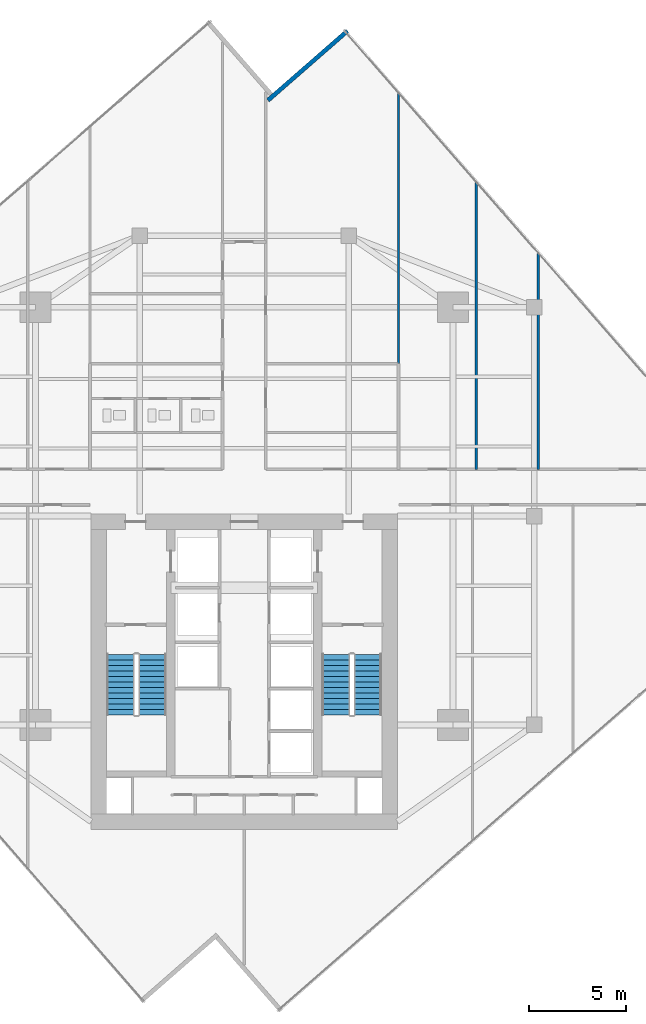
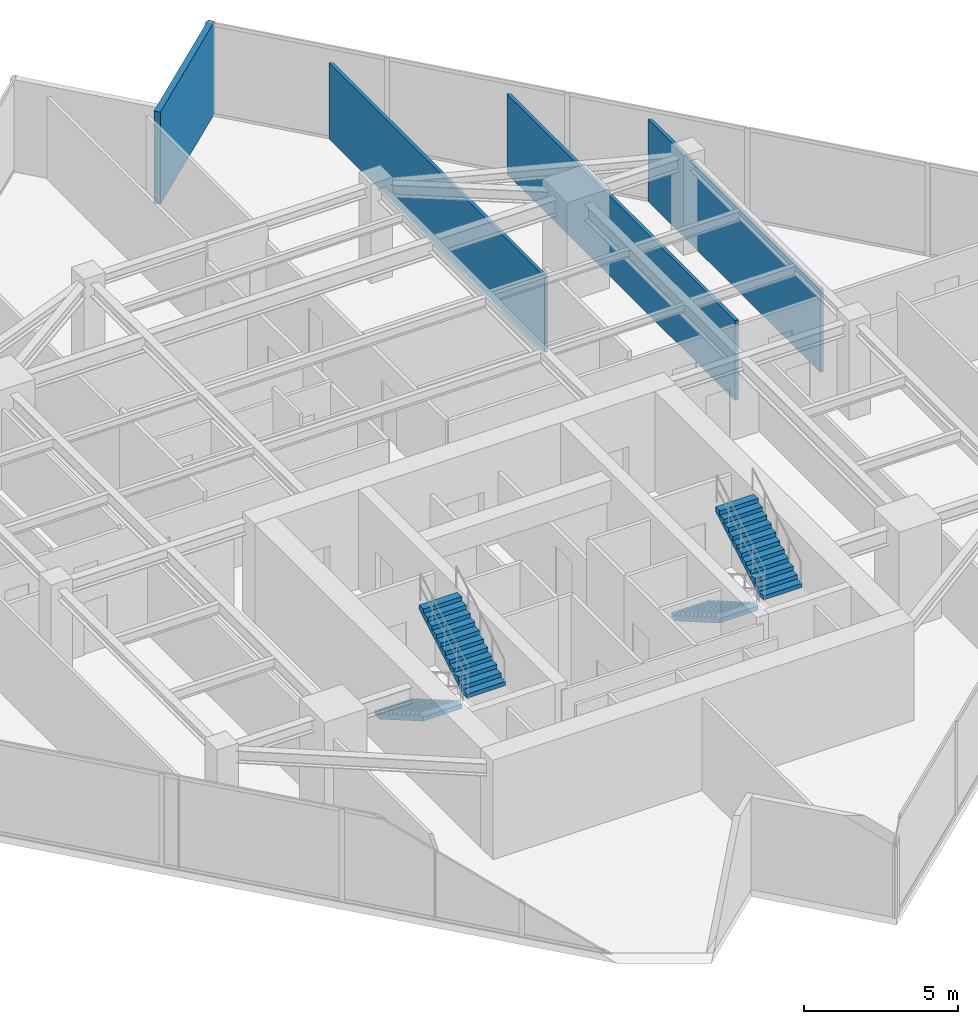
# One storey, part 22 of 24: 4 stair flights, 4 walls, 2 elements without a shape of their own.
"""IFC4 building model written with IfcOpenShell, lengths in metres."""

from ifc_helpers import new_model, si_unit, direction, frame, frame_2d, origin, place, context, subcontext, project, spatial, polyline, rectangle, outline, extrude, material, layer, layer_set, type_object, element, aggregate, save


model = new_model("IFC4")

# Units and contexts
model_context = context("Model", 3, precision=1e-05, world=origin(), true_north=direction((0.0, 1.0)))
body_context = subcontext(model_context, "Body", "Model", "MODEL_VIEW")
ifc_project = project(units=[si_unit("LENGTHUNIT", "METRE"), si_unit("AREAUNIT", "SQUARE_METRE"), si_unit("VOLUMEUNIT", "CUBIC_METRE"), si_unit("PLANEANGLEUNIT", "RADIAN"), si_unit("MASSUNIT", "GRAM", prefix="KILO")], contexts=[model_context])

# Site, building, storey
site_placement = place(None, origin())
site = spatial("IfcSite", under=ifc_project, at=site_placement, CompositionType="ELEMENT")
building_placement = place(site_placement, origin())
building = spatial("IfcBuilding", under=site, at=building_placement, Name="Krantzveldt Concourse Tower", CompositionType="ELEMENT")
storey_placement = place(building_placement, frame((0.0, 0.0, 250.75)))
storey = spatial("IfcBuildingStorey", under=building, at=storey_placement, Name="L61", CompositionType="ELEMENT", Elevation=250.75)

# Walls
ifc_material_1 = material(Name="Anodised aluminium 6063-T6", Category="aluminium")
ifc_layer_1 = layer(ifc_material_1, 0.219970703125, Name="Anodised aluminium 6063-T6", Category="aluminium")
ifc_layer_set_1 = layer_set([ifc_layer_1], Name="Anodised aluminium 6063-T6 (WL-EXT-NOTCH220)")
wall_type_1 = type_object("IfcWallType", Name="WL-EXT-NOTCH220", PredefinedType="ELEMENTEDWALL", material=ifc_layer_set_1)
wall_1_placement = place(storey_placement, frame((41.3388671875, 51.792236328125, 0.0), z_axis=(0.0, 0.0, 1.0), x_axis=(-0.753268767402, -0.657712827955, 0.0)))
element("IfcWall", 1, at=wall_1_placement, inside=storey, type_object=wall_type_1, Name="EW-L61-NCH11", PredefinedType="ELEMENTEDWALL", context=body_context, shape_type="SweptSolid", body=[
    extrude(rectangle(XDim=5.4599609375, YDim=0.219970703125, at=frame_2d((2.72998046875, 0.0))), origin(), (0.0, 0.0, 1.0), 3.669921875),
])
ifc_material_2 = material(Name="Fire-rated gypsum plasterboard on steel stud", Category="steel")
ifc_layer_2 = layer(ifc_material_2, 0.1201171875, Name="Fire-rated gypsum plasterboard on steel stud", Category="steel")
ifc_layer_set_2 = layer_set([ifc_layer_2], Name="Fire-rated gypsum plasterboard on steel stud (WL-PART-120)")
wall_type_2 = type_object("IfcWallType", Name="WL-PART-120", PredefinedType="PARTITIONING", material=ifc_layer_set_2)
wall_2_placement = place(storey_placement, frame((43.97998046875, 34.580078125, 0.0), z_axis=(0.0, 0.0, 1.0), x_axis=(0.0, 1.0, 0.0)))
element("IfcWall", 2, at=wall_2_placement, inside=storey, type_object=wall_type_2, Name="WP-L61-ISER2", PredefinedType="PARTITIONING", context=body_context, shape_type="SweptSolid", body=[
    extrude(rectangle(XDim=14.012451171875, YDim=0.1201171875, at=frame_2d((7.00634765625, 0.0))), origin(), (0.0, 0.0, 1.0), 3.030029296875),
])
wall_3_placement = place(storey_placement, frame((48.0, 29.1201171875, 0.0), z_axis=(0.0, 0.0, 1.0), x_axis=(0.0, 1.0, 0.0)))
element("IfcWall", 3, at=wall_3_placement, inside=storey, type_object=wall_type_2, Name="WP-L61-NEX1", PredefinedType="PARTITIONING", context=body_context, shape_type="SweptSolid", body=[
    extrude(rectangle(XDim=14.868408203125, YDim=0.1201171875, at=frame_2d((7.43408203125, 0.0))), origin(), (0.0, 0.0, 1.0), 3.179931640625),
])
wall_4_placement = place(storey_placement, frame((51.199951171875, 29.1201171875, 0.0), z_axis=(0.0, 0.0, 1.0), x_axis=(0.0, 1.0, 0.0)))
element("IfcWall", 4, at=wall_4_placement, inside=storey, type_object=wall_type_2, Name="WP-L61-NEX2", PredefinedType="PARTITIONING", context=body_context, shape_type="SweptSolid", body=[
    extrude(rectangle(XDim=11.203369140625, YDim=0.1201171875, at=frame_2d((5.6015625, 0.0))), origin(), (0.0, 0.0, 1.0), 3.280029296875),
])

# Stair, stair flights
ifc_material_3 = material(Name="Precast concrete C40/50", Category="concrete")
stair_type = type_object("IfcStairType", Name="STR-CORE-DOGLEG", PredefinedType="HALF_TURN_STAIR", material=ifc_material_3)
stair_1_placement = place(storey_placement, origin())
stair_1 = element("IfcStair", 5, at=stair_1_placement, inside=storey, type_object=stair_type, Name="L61 Protected Escape Stair ST-1", PredefinedType="HALF_TURN_STAIR")
stair_flight_type = type_object("IfcStairFlightType", Name="STF-CORE-1450", PredefinedType="STRAIGHT", material=ifc_material_3)
stair_flight_1_placement = place(storey_placement, frame((29.60498046875, 19.550048828125, 0.0), z_axis=(0.0, 0.0, 1.0), x_axis=(0.0, -1.0, 0.0)))
stair_flight_1 = element("IfcStairFlight", 6, at=stair_flight_1_placement, type_object=stair_flight_type, Name="ST-1 flight 1", NumberOfRisers=12, NumberOfTreads=11, PredefinedType="STRAIGHT", RiserHeight=0.164583333, TreadLength=0.285, context=body_context, shape_type="SweptSolid", body=[
    extrude(outline(polyline([(0.0, 0.0), (0.0, 0.16455078125), (0.284912109375, 0.16455078125), (0.284912109375, 0.3291015625), (0.570068359375, 0.3291015625), (0.570068359375, 0.49365234375), (0.85498046875, 0.49365234375), (0.85498046875, 0.658447265625), (1.139892578125, 0.658447265625), (1.139892578125, 0.822998046875), (1.425048828125, 0.822998046875), (1.425048828125, 0.987548828125), (1.7099609375, 0.987548828125), (1.7099609375, 1.152099609375), (1.9951171875, 1.152099609375), (1.9951171875, 1.316650390625), (2.280029296875, 1.316650390625), (2.280029296875, 1.481201171875), (2.56494140625, 1.481201171875), (2.56494140625, 1.645751953125), (2.85009765625, 1.645751953125), (2.85009765625, 1.810302734375), (3.135009765625, 1.810302734375), (3.135009765625, 1.97509765625), (3.135009765625, 1.63720703125), (0.2998046875, 0.0), (0.0, 0.0)])), frame((0.0, 0.72509765625, 0.0), z_axis=(0.0, -1.0, 0.0), x_axis=(1.0, 0.0, 0.0)), (0.0, 0.0, 1.0), 1.449951171875),
])
stair_flight_2_placement = place(storey_placement, frame((31.2548828125, 16.4150390625, 1.97509765625), z_axis=(0.0, 0.0, 1.0), x_axis=(0.0, 1.0, 0.0)))
stair_flight_2 = element("IfcStairFlight", 7, at=stair_flight_2_placement, type_object=stair_flight_type, Name="ST-1 flight 2", NumberOfRisers=12, NumberOfTreads=11, PredefinedType="STRAIGHT", RiserHeight=0.164583333, TreadLength=0.285, context=body_context, shape_type="SweptSolid", body=[
    extrude(outline(polyline([(0.0, 0.0), (0.0, 0.16455078125), (0.284912109375, 0.16455078125), (0.284912109375, 0.3291015625), (0.570068359375, 0.3291015625), (0.570068359375, 0.49365234375), (0.85498046875, 0.49365234375), (0.85498046875, 0.658447265625), (1.139892578125, 0.658447265625), (1.139892578125, 0.822998046875), (1.425048828125, 0.822998046875), (1.425048828125, 0.987548828125), (1.7099609375, 0.987548828125), (1.7099609375, 1.152099609375), (1.9951171875, 1.152099609375), (1.9951171875, 1.316650390625), (2.280029296875, 1.316650390625), (2.280029296875, 1.481201171875), (2.56494140625, 1.481201171875), (2.56494140625, 1.645751953125), (2.85009765625, 1.645751953125), (2.85009765625, 1.810302734375), (3.135009765625, 1.810302734375), (3.135009765625, 1.97509765625), (3.135009765625, 1.63720703125), (0.2998046875, 0.0), (0.0, 0.0)])), frame((0.0, 0.72509765625, 0.0), z_axis=(0.0, -1.0, 0.0), x_axis=(1.0, 0.0, 0.0)), (0.0, 0.0, 1.0), 1.449951171875),
])
aggregate(stair_1, [stair_flight_1, stair_flight_2])

stair_2_placement = place(storey_placement, origin())
stair_2 = element("IfcStair", 8, at=stair_2_placement, inside=storey, type_object=stair_type, Name="L61 Protected Escape Stair ST-2", PredefinedType="HALF_TURN_STAIR")
stair_flight_3_placement = place(storey_placement, frame((40.7451171875, 19.550048828125, 0.0), z_axis=(0.0, 0.0, 1.0), x_axis=(0.0, -1.0, 0.0)))
stair_flight_3 = element("IfcStairFlight", 9, at=stair_flight_3_placement, type_object=stair_flight_type, Name="ST-2 flight 1", NumberOfRisers=12, NumberOfTreads=11, PredefinedType="STRAIGHT", RiserHeight=0.164583333, TreadLength=0.285, context=body_context, shape_type="SweptSolid", body=[
    extrude(outline(polyline([(0.0, 0.0), (0.0, 0.16455078125), (0.284912109375, 0.16455078125), (0.284912109375, 0.3291015625), (0.570068359375, 0.3291015625), (0.570068359375, 0.49365234375), (0.85498046875, 0.49365234375), (0.85498046875, 0.658447265625), (1.139892578125, 0.658447265625), (1.139892578125, 0.822998046875), (1.425048828125, 0.822998046875), (1.425048828125, 0.987548828125), (1.7099609375, 0.987548828125), (1.7099609375, 1.152099609375), (1.9951171875, 1.152099609375), (1.9951171875, 1.316650390625), (2.280029296875, 1.316650390625), (2.280029296875, 1.481201171875), (2.56494140625, 1.481201171875), (2.56494140625, 1.645751953125), (2.85009765625, 1.645751953125), (2.85009765625, 1.810302734375), (3.135009765625, 1.810302734375), (3.135009765625, 1.97509765625), (3.135009765625, 1.63720703125), (0.2998046875, 0.0), (0.0, 0.0)])), frame((0.0, 0.72509765625, 0.0), z_axis=(0.0, -1.0, 0.0), x_axis=(1.0, 0.0, 0.0)), (0.0, 0.0, 1.0), 1.449951171875),
])
stair_flight_4_placement = place(storey_placement, frame((42.39501953125, 16.4150390625, 1.97509765625), z_axis=(0.0, 0.0, 1.0), x_axis=(0.0, 1.0, 0.0)))
stair_flight_4 = element("IfcStairFlight", 10, at=stair_flight_4_placement, type_object=stair_flight_type, Name="ST-2 flight 2", NumberOfRisers=12, NumberOfTreads=11, PredefinedType="STRAIGHT", RiserHeight=0.164583333, TreadLength=0.285, context=body_context, shape_type="SweptSolid", body=[
    extrude(outline(polyline([(0.0, 0.0), (0.0, 0.16455078125), (0.284912109375, 0.16455078125), (0.284912109375, 0.3291015625), (0.570068359375, 0.3291015625), (0.570068359375, 0.49365234375), (0.85498046875, 0.49365234375), (0.85498046875, 0.658447265625), (1.139892578125, 0.658447265625), (1.139892578125, 0.822998046875), (1.425048828125, 0.822998046875), (1.425048828125, 0.987548828125), (1.7099609375, 0.987548828125), (1.7099609375, 1.152099609375), (1.9951171875, 1.152099609375), (1.9951171875, 1.316650390625), (2.280029296875, 1.316650390625), (2.280029296875, 1.481201171875), (2.56494140625, 1.481201171875), (2.56494140625, 1.645751953125), (2.85009765625, 1.645751953125), (2.85009765625, 1.810302734375), (3.135009765625, 1.810302734375), (3.135009765625, 1.97509765625), (3.135009765625, 1.63720703125), (0.2998046875, 0.0), (0.0, 0.0)])), frame((0.0, 0.72509765625, 0.0), z_axis=(0.0, -1.0, 0.0), x_axis=(1.0, 0.0, 0.0)), (0.0, 0.0, 1.0), 1.449951171875),
])
aggregate(stair_2, [stair_flight_3, stair_flight_4])

save(model, "model.ifc")
